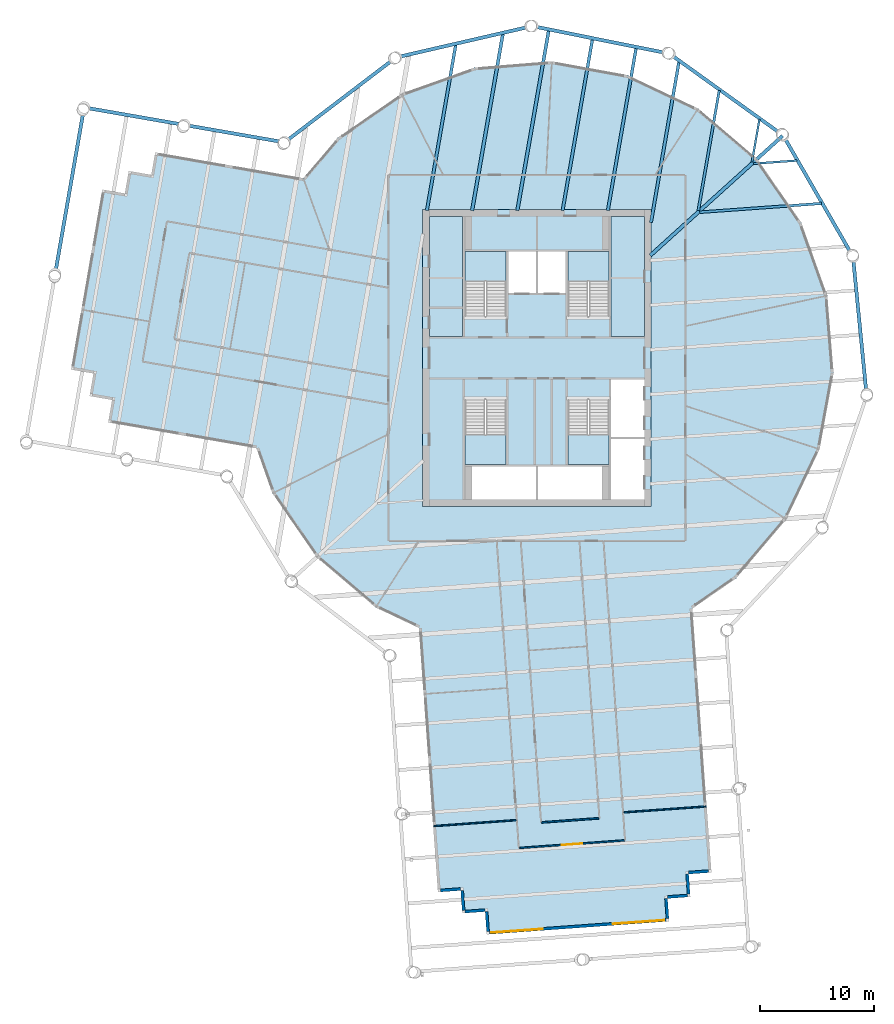
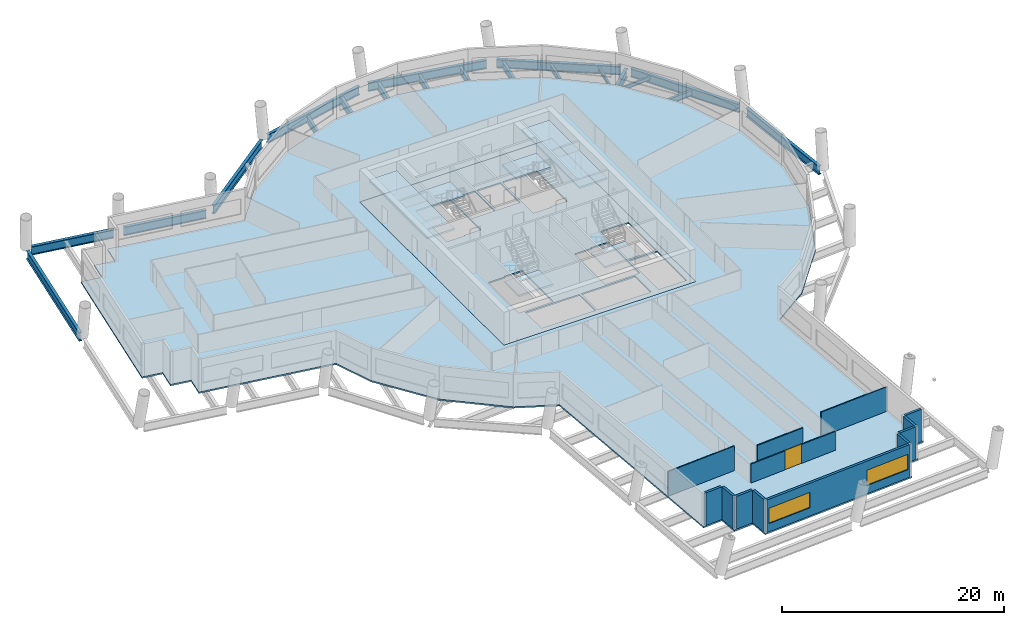
# One storey, part 2 of 11: 20 beams, 13 walls, 8 slabs, 2 windows, 1 door, 3 openings, 4 elements without a shape of their own.
"""IFC4 building model written with IfcOpenShell, lengths in metres."""

from ifc_helpers import new_model, si_unit, direction, frame, frame_2d, origin, origin_2d, place, context, subcontext, project, spatial, polyline, rectangle, i_section, outline, extrude, material, layer, layer_set, material_profile, profile_set, type_object, element, fill, aggregate, save


model = new_model("IFC4")

# Units and contexts
model_context = context("Model", 3, precision=1e-05, world=origin(), true_north=direction((0.0, 1.0)))
body_context = subcontext(model_context, "Body", "Model", "MODEL_VIEW")
ifc_project = project(units=[si_unit("LENGTHUNIT", "METRE"), si_unit("AREAUNIT", "SQUARE_METRE"), si_unit("VOLUMEUNIT", "CUBIC_METRE"), si_unit("PLANEANGLEUNIT", "RADIAN"), si_unit("MASSUNIT", "GRAM", prefix="KILO")], contexts=[model_context])

# Site, building, storey
site_placement = place(None, origin())
site = spatial("IfcSite", under=ifc_project, at=site_placement, CompositionType="ELEMENT")
building_placement = place(site_placement, origin())
building = spatial("IfcBuilding", under=site, at=building_placement, Name="Tarsis Ring Headquarters", CompositionType="ELEMENT")
storey_placement = place(building_placement, frame((0.0, 0.0, 243.300048828125)))
storey = spatial("IfcBuildingStorey", under=building, at=storey_placement, Name="L57", CompositionType="ELEMENT", Elevation=243.300048828125)

# Beams
ifc_material_1 = material(Name="Structural steel S355", Category="steel")
ifc_material_profile_1 = material_profile(ifc_material_1, i_section(OverallWidth=0.177734375, OverallDepth=0.406494140625, WebThickness=0.0078125, FlangeThickness=0.0126953125, at=origin_2d()), Name="W16x40")
ifc_profile_set_1 = profile_set([ifc_material_profile_1], Name="Structural steel S355")
beam_type_1 = type_object("IfcBeamType", Name="FB Floor beam W16x40", PredefinedType="JOIST", material=ifc_profile_set_1)
for number, where, z_axis, x_axis, name in (
    (1, (18.946044921875, 17.005126953125, -0.36328125), (0.997414871604, 0.071858012106, 0.0), (-0.071858012106, 0.997414871604, 0.0), "Floor beam FB1"),
    (2, (19.4736328125, 20.892333984375, -0.36328125), (-0.171563198487, -0.985173116221, 0.0), (0.985173116221, -0.171563198487, 0.0), "Floor beam FB1"),
):
    element("IfcBeam", number, at=place(storey_placement, frame(where, z_axis=z_axis, x_axis=x_axis)), inside=storey, type_object=beam_type_1, Name=name, PredefinedType="JOIST", context=body_context, shape_type="SweptSolid", body=[
        extrude(i_section(OverallWidth=0.177734375, OverallDepth=0.406494140625, WebThickness=0.0078125, FlangeThickness=0.0126953125, at=origin_2d()), origin(), (0.0, 0.0, 1.0), 3.80517578125),
    ])
ifc_material_profile_2 = material_profile(ifc_material_1, i_section(OverallWidth=0.228271484375, OverallDepth=0.607177734375, WebThickness=0.01123046875, FlangeThickness=0.017333984375, at=origin_2d()), Name="W24x76")
ifc_profile_set_2 = profile_set([ifc_material_profile_2], Name="Structural steel S355")
beam_type_2 = type_object("IfcBeamType", Name="FB Floor beam W24x76", PredefinedType="JOIST", material=ifc_profile_set_2)
beam_1_placement = place(storey_placement, frame((14.247314453125, 12.756591796875, -0.463623046875), z_axis=(0.997416187829, 0.071839740087, 0.0), x_axis=(-0.071839740087, 0.997416187829, 0.0)))
element("IfcBeam", 3, at=beam_1_placement, inside=storey, type_object=beam_type_2, Name="Floor beam FB4", PredefinedType="JOIST", context=body_context, shape_type="SweptSolid", body=[
    extrude(i_section(OverallWidth=0.228271484375, OverallDepth=0.607177734375, WebThickness=0.01123046875, FlangeThickness=0.017333984375, at=origin_2d()), origin(), (0.0, 0.0, 1.0), 10.6845703125),
])
beam_2_placement = place(storey_placement, frame((15.955322265625, 23.42138671875, -0.463623046875), z_axis=(-0.171575490657, -0.985170975519, 0.0), x_axis=(0.985170975519, -0.171575490657, 0.0)))
element("IfcBeam", 4, at=beam_2_placement, inside=storey, type_object=beam_type_2, Name="Floor beam FB4", PredefinedType="JOIST", context=body_context, shape_type="SweptSolid", body=[
    extrude(i_section(OverallWidth=0.228271484375, OverallDepth=0.607177734375, WebThickness=0.01123046875, FlangeThickness=0.017333984375, at=origin_2d()), origin(), (0.0, 0.0, 1.0), 10.684814453125),
])
ifc_material_profile_3 = material_profile(ifc_material_1, i_section(OverallWidth=0.2666015625, OverallDepth=0.7568359375, WebThickness=0.013916015625, FlangeThickness=0.019287109375, at=origin_2d()), Name="W30x108")
ifc_profile_set_3 = profile_set([ifc_material_profile_3], Name="Structural steel S355")
beam_type_3 = type_object("IfcBeamType", Name="FB Floor beam W30x108", PredefinedType="JOIST", material=ifc_profile_set_3)
beam_3_placement = place(storey_placement, frame((12.437255859375, 25.9501953125, -0.53857421875), z_axis=(-0.171591123152, -0.985168252866, 0.0), x_axis=(0.985168252866, -0.171591123152, 0.0)))
element("IfcBeam", 5, at=beam_3_placement, inside=storey, type_object=beam_type_3, Name="Floor beam FB6", PredefinedType="JOIST", context=body_context, shape_type="SweptSolid", body=[
    extrude(i_section(OverallWidth=0.2666015625, OverallDepth=0.7568359375, WebThickness=0.013916015625, FlangeThickness=0.019287109375, at=origin_2d()), origin(), (0.0, 0.0, 1.0), 14.303466796875),
])
beam_4_placement = place(storey_placement, frame((8.689208984375, 27.160888671875, -0.53857421875), z_axis=(-0.171574651158, -0.985171121725, 0.0), x_axis=(0.985171121725, -0.171574651158, 0.0)))
element("IfcBeam", 6, at=beam_4_placement, inside=storey, type_object=beam_type_3, Name="Floor beam FB6", PredefinedType="JOIST", context=body_context, shape_type="SweptSolid", body=[
    extrude(i_section(OverallWidth=0.2666015625, OverallDepth=0.7568359375, WebThickness=0.013916015625, FlangeThickness=0.019287109375, at=origin_2d()), origin(), (0.0, 0.0, 1.0), 14.47412109375),
])
beam_5_placement = place(storey_placement, frame((4.864501953125, 27.9296875, -0.53857421875), z_axis=(-0.17158364423, -0.985169555474, 0.0), x_axis=(0.985169555474, -0.17158364423, 0.0)))
element("IfcBeam", 7, at=beam_5_placement, inside=storey, type_object=beam_type_3, Name="Floor beam FB6", PredefinedType="JOIST", context=body_context, shape_type="SweptSolid", body=[
    extrude(i_section(OverallWidth=0.2666015625, OverallDepth=0.7568359375, WebThickness=0.013916015625, FlangeThickness=0.019287109375, at=origin_2d()), origin(), (0.0, 0.0, 1.0), 15.254638671875),
])
beam_6_placement = place(storey_placement, frame((-7.096923828125, 27.43994140625, -0.53857421875), z_axis=(-0.17158971719, -0.985168497748, 0.0), x_axis=(0.985168497748, -0.17158971719, 0.0)))
element("IfcBeam", 8, at=beam_6_placement, inside=storey, type_object=beam_type_3, Name="Floor beam FB6", PredefinedType="JOIST", context=body_context, shape_type="SweptSolid", body=[
    extrude(i_section(OverallWidth=0.2666015625, OverallDepth=0.7568359375, WebThickness=0.013916015625, FlangeThickness=0.019287109375, at=origin_2d()), origin(), (0.0, 0.0, 1.0), 14.757568359375),
])
ifc_material_profile_4 = material_profile(ifc_material_1, i_section(OverallWidth=0.2919921875, OverallDepth=0.835693359375, WebThickness=0.013916015625, FlangeThickness=0.018798828125, at=origin_2d()), Name="W33x118")
ifc_profile_set_4 = profile_set([ifc_material_profile_4], Name="Structural steel S355")
beam_type_4 = type_object("IfcBeamType", Name="FB Floor beam W33x118", PredefinedType="JOIST", material=ifc_profile_set_4)
beam_7_placement = place(storey_placement, frame((1.03955078125, 28.698486328125, -0.577880859375), z_axis=(-0.171576984639, -0.985170715329, 0.0), x_axis=(0.985170715329, -0.171576984639, 0.0)))
element("IfcBeam", 9, at=beam_7_placement, inside=storey, type_object=beam_type_4, Name="Floor beam FB7", PredefinedType="JOIST", context=body_context, shape_type="SweptSolid", body=[
    extrude(i_section(OverallWidth=0.2919921875, OverallDepth=0.835693359375, WebThickness=0.013916015625, FlangeThickness=0.018798828125, at=origin_2d()), origin(), (0.0, 0.0, 1.0), 16.034912109375),
])
beam_8_placement = place(storey_placement, frame((-2.97265625, 28.39013671875, -0.577880859375), z_axis=(-0.171591508045, -0.985168185828, 0.0), x_axis=(0.985168185828, -0.171591508045, 0.0)))
element("IfcBeam", 10, at=beam_8_placement, inside=storey, type_object=beam_type_4, Name="Floor beam FB7", PredefinedType="JOIST", context=body_context, shape_type="SweptSolid", body=[
    extrude(i_section(OverallWidth=0.2919921875, OverallDepth=0.835693359375, WebThickness=0.013916015625, FlangeThickness=0.018798828125, at=origin_2d()), origin(), (0.0, 0.0, 1.0), 15.721923828125),
])
ifc_material_profile_5 = material_profile(ifc_material_1, i_section(OverallWidth=0.309814453125, OverallDepth=0.949951171875, WebThickness=0.0244140625, FlangeThickness=0.0439453125, at=origin_2d()), Name="W36x256")
ifc_profile_set_5 = profile_set([ifc_material_profile_5], Name="Structural steel S355")
beam_type_5 = type_object("IfcBeamType", Name="FB Floor beam W36x256 spine", PredefinedType="BEAM", material=ifc_profile_set_5)
beam_9_placement = place(storey_placement, frame((21.503173828125, 19.443115234375, -0.635009765625), z_axis=(-0.741743629511, -0.670683523042, 0.0), x_axis=(0.670683523042, -0.741743629511, 0.0)))
element("IfcBeam", 11, at=beam_9_placement, inside=storey, type_object=beam_type_5, Name="Floor beam SB11", PredefinedType="BEAM", context=body_context, shape_type="SweptSolid", body=[
    extrude(i_section(OverallWidth=0.309814453125, OverallDepth=0.949951171875, WebThickness=0.0244140625, FlangeThickness=0.0439453125, at=origin_2d()), origin(), (0.0, 0.0, 1.0), 15.6083984375),
])
beam_type_6 = type_object("IfcBeamType", Name="XG Ring girder W36x256", PredefinedType="BEAM", material=ifc_profile_set_5)
for number, where, z_axis, x_axis, name in (
    (12, (28.81103515625, -2.84326171875, -0.47509765625), (-0.097689870324, 0.995216905622, 0.0), (-0.995216905622, -0.097689870324, 0.0), "Ring girder XG2"),
    (13, (27.421875, 9.28515625, -0.47509765625), (-0.4992380838, 0.866464849652, 0.0), (-0.866464849652, -0.4992380838, 0.0), "Ring girder XG2"),
):
    element("IfcBeam", number, at=place(storey_placement, frame(where, z_axis=z_axis, x_axis=x_axis)), inside=storey, type_object=beam_type_6, Name=name, PredefinedType="BEAM", context=body_context, shape_type="SweptSolid", body=[
        extrude(i_section(OverallWidth=0.309814453125, OverallDepth=0.949951171875, WebThickness=0.0244140625, FlangeThickness=0.0439453125, at=origin_2d()), origin(), (0.0, 0.0, 1.0), 11.28857421875),
    ])
for number, where, z_axis, x_axis, name in (
    (14, (21.15673828125, 19.7626953125, -0.47509765625), (-0.811996793956, 0.583661894084, 0.0), (-0.583661894084, -0.811996793956, 0.0), "Ring girder XG2"),
    (15, (11.1298828125, 26.726318359375, -0.47509765625), (-0.980390565928, 0.19706429976, 0.0), (-0.19706429976, -0.980390565928, 0.0), "Ring girder XG2"),
    (16, (-0.8759765625, 28.937744140625, -0.47509765625), (-0.974466956121, -0.22453095873, 0.0), (0.22453095873, -0.974466956121, 0.0), "Ring girder XG2"),
    (17, (-12.725830078125, 26.004150390625, -0.47509765625), (-0.795280773487, -0.60624128144, 0.0), (0.60624128144, -0.795280773487, 0.0), "Ring girder XG2"),
):
    element("IfcBeam", number, at=place(storey_placement, frame(where, z_axis=z_axis, x_axis=x_axis)), inside=storey, type_object=beam_type_6, Name=name, PredefinedType="BEAM", context=body_context, shape_type="SweptSolid", body=[
        extrude(i_section(OverallWidth=0.309814453125, OverallDepth=0.949951171875, WebThickness=0.0244140625, FlangeThickness=0.0439453125, at=origin_2d()), origin(), (0.0, 0.0, 1.0), 11.288818359375),
    ])
for number, where, z_axis, x_axis, name in (
    (18, (-22.558349609375, 18.95166015625, -0.47509765625), (-0.985167952874, 0.171592845511, 0.0), (-0.171592845511, -0.985167952874, 0.0), "Ring girder XG2"),
    (19, (-31.32861328125, 20.479248046875, -0.47509765625), (-0.985167952874, 0.171592845511, 0.0), (-0.171592845511, -0.985167952874, 0.0), "Ring girder XG2"),
):
    element("IfcBeam", number, at=place(storey_placement, frame(where, z_axis=z_axis, x_axis=x_axis)), inside=storey, type_object=beam_type_6, Name=name, PredefinedType="BEAM", context=body_context, shape_type="SweptSolid", body=[
        extrude(i_section(OverallWidth=0.309814453125, OverallDepth=0.949951171875, WebThickness=0.0244140625, FlangeThickness=0.0439453125, at=origin_2d()), origin(), (0.0, 0.0, 1.0), 7.94189453125),
    ])
beam_10_placement = place(storey_placement, frame((-39.708251953125, 21.451416015625, -0.47509765625), z_axis=(-0.171571953712, -0.9851715915, 0.0), x_axis=(0.9851715915, -0.171571953712, 0.0)))
element("IfcBeam", 20, at=beam_10_placement, inside=storey, type_object=beam_type_6, Name="Ring girder XG2", PredefinedType="BEAM", context=body_context, shape_type="SweptSolid", body=[
    extrude(i_section(OverallWidth=0.309814453125, OverallDepth=0.949951171875, WebThickness=0.0244140625, FlangeThickness=0.0439453125, at=origin_2d()), origin(), (0.0, 0.0, 1.0), 13.83984375),
])

# Slab
ifc_material_2 = material(Name="Concrete C40/50", Category="concrete")
ifc_layer_1 = layer(ifc_material_2, 0.159912109375)
ifc_layer_set_1 = layer_set([ifc_layer_1], Name="Core floor slab 160 C40/50")
slab_type_1 = type_object("IfcSlabType", Name="Core floor slab 160 C40/50", PredefinedType="FLOOR", material=ifc_layer_set_1)
slab_1_placement = place(storey_placement, frame((0.0, 0.0, -0.16015625)))
element("IfcSlab", 21, at=slab_1_placement, inside=storey, type_object=slab_type_1, Name="L57 core floor slab", PredefinedType="FLOOR", context=body_context, shape_type="SweptSolid", body=[
    extrude(outline(polyline([(-10.0, -13.0), (10.0, -13.0), (10.0, 13.0), (-10.0, 13.0), (-10.0, -13.0)]), holes=[polyline([(-2.5, 5.699951171875), (-0.10009765625, 5.699951171875), (-0.10009765625, 9.300048828125), (-2.5, 9.300048828125), (-2.5, 5.699951171875)]), polyline([(0.10009765625, 5.699951171875), (2.5, 5.699951171875), (2.5, 9.300048828125), (0.10009765625, 9.300048828125), (0.10009765625, 5.699951171875)]), polyline([(6.5, -12.39990234375), (9.39990234375, -12.39990234375), (9.39990234375, -7.10009765625), (6.5, -7.10009765625), (6.5, -12.39990234375)]), polyline([(6.5, -6.89990234375), (9.39990234375, -6.89990234375), (9.39990234375, -1.89990234375), (6.5, -1.89990234375), (6.5, -6.89990234375)]), polyline([(-5.699951171875, -12.39990234375), (-0.10009765625, -12.39990234375), (-0.10009765625, -9.5), (-5.699951171875, -9.5), (-5.699951171875, -12.39990234375)]), polyline([(0.10009765625, -12.39990234375), (5.699951171875, -12.39990234375), (5.699951171875, -9.5), (0.10009765625, -9.5), (0.10009765625, -12.39990234375)]), polyline([(-2.699951171875, 3.760009765625), (-2.699951171875, 9.300048828125), (-6.300048828125, 9.300048828125), (-6.300048828125, 3.659912109375), (-4.4599609375, 3.659912109375), (-4.4599609375, 3.760009765625), (-2.699951171875, 3.760009765625)]), polyline([(6.300048828125, 3.760009765625), (6.300048828125, 9.300048828125), (2.699951171875, 9.300048828125), (2.699951171875, 3.659912109375), (4.5400390625, 3.659912109375), (4.5400390625, 3.760009765625), (6.300048828125, 3.760009765625)]), polyline([(-6.300048828125, -3.760009765625), (-6.300048828125, -9.300048828125), (-2.699951171875, -9.300048828125), (-2.699951171875, -3.659912109375), (-4.5400390625, -3.659912109375), (-4.5400390625, -3.760009765625), (-6.300048828125, -3.760009765625)]), polyline([(2.699951171875, -3.760009765625), (2.699951171875, -9.300048828125), (6.300048828125, -9.300048828125), (6.300048828125, -3.659912109375), (4.4599609375, -3.659912109375), (4.4599609375, -3.760009765625), (2.699951171875, -3.760009765625)])]), origin(), (0.0, 0.0, 1.0), 0.16015625),
])

# Stair, slab
ifc_material_3 = material(Name="Core stair 1760")
stair_type = type_object("IfcStairType", Name="Core stair 1760", PredefinedType="HALF_TURN_STAIR", material=ifc_material_3)
stair_1_placement = place(storey_placement, origin())
stair_1 = element("IfcStair", 22, at=stair_1_placement, inside=storey, type_object=stair_type, Name="L57 Firefighting stair", PredefinedType="HALF_TURN_STAIR")
ifc_layer_2 = layer(ifc_material_2, 0.199951171875)
ifc_layer_set_2 = layer_set([ifc_layer_2], Name="Core stair landing 200")
slab_type_2 = type_object("IfcSlabType", Name="Core stair landing 200", PredefinedType="LANDING", material=ifc_layer_set_2)
slab_2_placement = place(storey_placement, frame((0.0, 0.0, 1.75)))
slab_2 = element("IfcSlab", 23, at=slab_2_placement, type_object=slab_type_2, Name="Stair ST1 landing 1", PredefinedType="LANDING", context=body_context, shape_type="SweptSolid", body=[
    extrude(outline(polyline([(-2.699951171875, 6.739990234375), (-2.699951171875, 9.300048828125), (-6.300048828125, 9.300048828125), (-6.300048828125, 6.739990234375), (-2.699951171875, 6.739990234375)])), origin(), (0.0, 0.0, 1.0), 0.199951171875),
])
aggregate(stair_1, [slab_2])

stair_2_placement = place(storey_placement, origin())
stair_2 = element("IfcStair", 24, at=stair_2_placement, inside=storey, type_object=stair_type, Name="L57 Exit stair B", PredefinedType="HALF_TURN_STAIR")
slab_3_placement = place(storey_placement, frame((0.0, 0.0, 1.75)))
slab_3 = element("IfcSlab", 25, at=slab_3_placement, type_object=slab_type_2, Name="Stair ST2 landing 1", PredefinedType="LANDING", context=body_context, shape_type="SweptSolid", body=[
    extrude(outline(polyline([(6.300048828125, 6.739990234375), (6.300048828125, 9.300048828125), (2.699951171875, 9.300048828125), (2.699951171875, 6.739990234375), (6.300048828125, 6.739990234375)])), origin(), (0.0, 0.0, 1.0), 0.199951171875),
])
aggregate(stair_2, [slab_3])

stair_3_placement = place(storey_placement, origin())
stair_3 = element("IfcStair", 26, at=stair_3_placement, inside=storey, type_object=stair_type, Name="L57 Exit stair C", PredefinedType="HALF_TURN_STAIR")
slab_4_placement = place(storey_placement, frame((0.0, 0.0, 1.75)))
slab_4 = element("IfcSlab", 27, at=slab_4_placement, type_object=slab_type_2, Name="Stair ST3 landing 1", PredefinedType="LANDING", context=body_context, shape_type="SweptSolid", body=[
    extrude(outline(polyline([(-6.300048828125, -6.739990234375), (-6.300048828125, -9.300048828125), (-2.699951171875, -9.300048828125), (-2.699951171875, -6.739990234375), (-6.300048828125, -6.739990234375)])), origin(), (0.0, 0.0, 1.0), 0.199951171875),
])
aggregate(stair_3, [slab_4])

stair_4_placement = place(storey_placement, origin())
stair_4 = element("IfcStair", 28, at=stair_4_placement, inside=storey, type_object=stair_type, Name="L57 Exit stair D", PredefinedType="HALF_TURN_STAIR")
slab_5_placement = place(storey_placement, frame((0.0, 0.0, 1.75)))
slab_5 = element("IfcSlab", 29, at=slab_5_placement, type_object=slab_type_2, Name="Stair ST4 landing 1", PredefinedType="LANDING", context=body_context, shape_type="SweptSolid", body=[
    extrude(outline(polyline([(2.699951171875, -6.739990234375), (2.699951171875, -9.300048828125), (6.300048828125, -9.300048828125), (6.300048828125, -6.739990234375), (2.699951171875, -6.739990234375)])), origin(), (0.0, 0.0, 1.0), 0.199951171875),
])
aggregate(stair_4, [slab_5])

# Slabs
ifc_material_4 = material(Name="Concrete C35/45", Category="concrete")
ifc_layer_3 = layer(ifc_material_4, 0.159912109375)
ifc_layer_set_3 = layer_set([ifc_layer_3], Name="FS Composite floor slab 160")
slab_type_3 = type_object("IfcSlabType", Name="FS Composite floor slab 160", PredefinedType="FLOOR", material=ifc_layer_set_3)
slab_6_placement = place(storey_placement, frame((0.0, 0.0, -0.16015625)))
element("IfcSlab", 30, at=slab_6_placement, inside=storey, type_object=slab_type_3, Name="Floor slab L57", PredefinedType="FLOOR", context=body_context, shape_type="SweptSolid", body=[
    extrude(outline(polyline([(-24.548583984375, -7.905029296875), (-23.141357421875, -11.852294921875), (-19.285400390625, -17.437744140625), (-14.114990234375, -21.8349609375), (-10.328857421875, -23.631103515625), (-8.6640625, -46.7431640625), (-6.669189453125, -46.599609375), (-6.525634765625, -48.594482421875), (-4.53076171875, -48.45068359375), (-4.386962890625, -50.445556640625), (11.571533203125, -49.296142578125), (11.427978515625, -47.30126953125), (13.4228515625, -47.157470703125), (13.279052734375, -45.16259765625), (15.27392578125, -45.01904296875), (13.610595703125, -21.927490234375), (17.437744140625, -19.285400390625), (21.8349609375, -14.114990234375), (24.744140625, -7.982666015625), (25.967041015625, -1.306396484375), (25.42041015625, 5.458984375), (23.141357421875, 11.852294921875), (19.285400390625, 17.437744140625), (14.114990234375, 21.8349609375), (7.982666015625, 24.744140625), (1.306396484375, 25.967041015625), (-5.458984375, 25.42041015625), (-11.852294921875, 23.141357421875), (-17.437744140625, 19.285400390625), (-20.450927734375, 15.742431640625), (-33.406982421875, 17.9990234375), (-33.750244140625, 16.02880859375), (-35.720458984375, 16.371826171875), (-36.063720703125, 14.401611328125), (-38.0341796875, 14.744873046875), (-40.779541015625, -1.01806640625), (-38.80908203125, -1.361083984375), (-39.15234375, -3.33154296875), (-37.181884765625, -3.674560546875), (-37.525146484375, -5.64501953125), (-24.548583984375, -7.905029296875)]), holes=[polyline([(-10.0, -13.0), (-10.0, 13.0), (10.0, 13.0), (10.0, -13.0), (-10.0, -13.0)])]), origin(), (0.0, 0.0, 1.0), 0.16015625),
])
ifc_layer_4 = layer(ifc_material_2, 0.199951171875)
ifc_layer_set_4 = layer_set([ifc_layer_4], Name="Lift pit slab 200 C40/50")
slab_type_4 = type_object("IfcSlabType", Name="Lift pit slab 200 C40/50", PredefinedType="FLOOR", material=ifc_layer_set_4)
slab_7_placement = place(storey_placement, frame((0.0, 0.0, 2.39990234375)))
element("IfcSlab", 31, at=slab_7_placement, inside=storey, type_object=slab_type_4, Name="L57 lift pit floor 1", PredefinedType="FLOOR", context=body_context, shape_type="SweptSolid", body=[
    extrude(outline(polyline([(-9.39990234375, 1.89990234375), (-6.5, 1.89990234375), (-6.5, 12.39990234375), (-9.39990234375, 12.39990234375), (-9.39990234375, 1.89990234375)])), origin(), (0.0, 0.0, 1.0), 0.199951171875),
])
slab_8_placement = place(storey_placement, frame((0.0, 0.0, 2.39990234375)))
element("IfcSlab", 32, at=slab_8_placement, inside=storey, type_object=slab_type_4, Name="L57 lift pit floor 2", PredefinedType="FLOOR", context=body_context, shape_type="SweptSolid", body=[
    extrude(outline(polyline([(6.5, 1.89990234375), (9.39990234375, 1.89990234375), (9.39990234375, 12.39990234375), (6.5, 12.39990234375), (6.5, 1.89990234375)])), origin(), (0.0, 0.0, 1.0), 0.199951171875),
])

# Walls
ifc_material_5 = material(Name="Gypsum board on steel studs", Category="steel")
ifc_layer_5 = layer(ifc_material_5, 0.10009765625)
ifc_layer_set_5 = layer_set([ifc_layer_5], Name="FL partition 100 unrated")
wall_type_1 = type_object("IfcWallType", Name="FL partition 100 unrated", PredefinedType="PARTITIONING", material=ifc_layer_set_5)
for number, where, z_axis, x_axis, name in (
    (33, (7.606689453125, -39.766357421875, 0.0), (0.0, 0.0, 1.0), (0.997415088292, 0.071855004327, 0.0), "Partition PW3"),
    (34, (-9.0302734375, -40.964599609375, 0.0), (0.0, 0.0, 1.0), (0.997415088292, 0.071855004327, 0.0), "Partition PW3"),
):
    element("IfcWall", number, at=place(storey_placement, frame(where, z_axis=z_axis, x_axis=x_axis)), inside=storey, type_object=wall_type_1, Name=name, PredefinedType="PARTITIONING", context=body_context, shape_type="SweptSolid", body=[
        extrude(rectangle(XDim=7.219970703125, YDim=0.10009765625, at=frame_2d((3.60986328125, 0.0))), origin(), (0.0, 0.0, 1.0), 2.699951171875),
    ])

# Wall, opening, door
ifc_layer_6 = layer(ifc_material_5, 0.125)
ifc_layer_set_6 = layer_set([ifc_layer_6], Name="FL partition 125 EI 60 H2080")
wall_type_2 = type_object("IfcWallType", Name="FL partition 125 EI 60 H2080", PredefinedType="PARTITIONING", material=ifc_layer_set_6)
wall_1_placement = place(storey_placement, frame((-1.5224609375, -42.89013671875, 0.0), z_axis=(0.0, 0.0, 1.0), x_axis=(0.997416498279, 0.071835429704, 0.0)))
wall_1 = element("IfcWall", 35, at=wall_1_placement, inside=storey, type_object=wall_type_2, Name="Partition PW1H208", PredefinedType="PARTITIONING", context=body_context, shape_type="SweptSolid", body=[
    extrude(rectangle(XDim=9.199951171875, YDim=0.125, at=frame_2d((4.60009765625, 0.0))), origin(), (0.0, 0.0, 1.0), 2.079833984375),
])
opening_1_placement = place(wall_1_placement, frame((3.699951171875, 0.0, 0.0)))
opening_1 = element("IfcOpeningElement", 36, at=opening_1_placement, cuts=wall_1, Name="Opening D57.10", PredefinedType="OPENING", context=body_context, shape_type="SweptSolid", body=[
    extrude(rectangle(XDim=1.800048828125, YDim=2.10009765625, at=frame_2d((0.89990234375, 1.050048828125))), frame((0.0, 0.072509765625, 0.0), z_axis=(0.0, -1.0, 0.0), x_axis=(1.0, 0.0, 0.0)), (0.0, 0.0, 1.0), 0.14501953125),
])
ifc_material_6 = material(Name="Fire-rated timber door leaf in steel frame", Category="steel")
door_type = type_object("IfcDoorType", Name="FL door FD60-1800", OperationType="DOUBLE_DOOR_SINGLE_SWING", PredefinedType="DOOR", material=ifc_material_6)
door_placement = place(opening_1_placement, origin())
door = element("IfcDoor", 37, at=door_placement, inside=storey, type_object=door_type, Name="Door D57.10", OperationType="DOUBLE_DOOR_SINGLE_SWING", OverallHeight=2.10009765625, OverallWidth=1.800048828125, PredefinedType="DOOR", context=body_context, shape_type="SweptSolid", body=[
    extrude(rectangle(XDim=1.800048828125, YDim=2.10009765625, at=frame_2d((0.89990234375, 1.050048828125))), frame((0.0, 0.02490234375, 0.0), z_axis=(0.0, -1.0, 0.0), x_axis=(1.0, 0.0, 0.0)), (0.0, 0.0, 1.0), 0.050048828125),
])
fill(opening_1, door)

# Walls
wall_2_placement = place(storey_placement, frame((0.421142578125, -40.644775390625, 0.0), z_axis=(0.0, 0.0, 1.0), x_axis=(0.997413639632, 0.071875110273, 0.0)))
element("IfcWall", 38, at=wall_2_placement, inside=storey, type_object=wall_type_2, Name="Partition PW1H208", PredefinedType="PARTITIONING", context=body_context, shape_type="SweptSolid", body=[
    extrude(rectangle(XDim=5.0, YDim=0.125, at=frame_2d((2.5, 0.0))), origin(), (0.0, 0.0, 1.0), 2.079833984375),
])
ifc_material_7 = material(Name="Terracotta clad insulated panel wall", Category="masonry")
ifc_layer_7 = layer(ifc_material_7, 0.25)
ifc_layer_set_7 = layer_set([ifc_layer_7], Name="Facade wall terracotta panel 250")
wall_type_3 = type_object("IfcWallType", Name="Facade wall terracotta panel 250", PredefinedType="STANDARD", material=ifc_layer_set_7)
for number, where, z_axis, x_axis, name in (
    (39, (-8.423828125, -46.6005859375, 0.0), (0.0, 0.0, 1.0), (0.997416035549, 0.071841854309, 0.0), "External wall L57-07"),
    (40, (-6.544677734375, -46.590576171875, 0.0), (0.0, 0.0, 1.0), (0.071841854309, -0.997416035549, 0.0), "External wall L57-08"),
):
    element("IfcWall", number, at=place(storey_placement, frame(where, z_axis=z_axis, x_axis=x_axis)), inside=storey, type_object=wall_type_3, Name=name, PredefinedType="STANDARD", context=body_context, shape_type="SweptSolid", body=[
        extrude(rectangle(XDim=1.750244140625, YDim=0.25, at=frame_2d((0.875, 0.0))), origin(), (0.0, 0.0, 1.0), 3.599853515625),
    ])
wall_3_placement = place(storey_placement, frame((-6.28515625, -48.45166015625, 0.0), z_axis=(0.0, 0.0, 1.0), x_axis=(0.99741531541, 0.071851851649, 0.0)))
element("IfcWall", 41, at=wall_3_placement, inside=storey, type_object=wall_type_3, Name="External wall L57-09", PredefinedType="STANDARD", context=body_context, shape_type="SweptSolid", body=[
    extrude(rectangle(XDim=1.75, YDim=0.25, at=frame_2d((0.875, 0.0))), origin(), (0.0, 0.0, 1.0), 3.599853515625),
])
wall_4_placement = place(storey_placement, frame((-4.406005859375, -48.441650390625, 0.0), z_axis=(0.0, 0.0, 1.0), x_axis=(0.071841854309, -0.997416035549, 0.0)))
element("IfcWall", 42, at=wall_4_placement, inside=storey, type_object=wall_type_3, Name="External wall L57-10", PredefinedType="STANDARD", context=body_context, shape_type="SweptSolid", body=[
    extrude(rectangle(XDim=1.750244140625, YDim=0.25, at=frame_2d((0.875, 0.0))), origin(), (0.0, 0.0, 1.0), 3.599853515625),
])

# Wall, openings, windows
wall_5_placement = place(storey_placement, frame((-4.146728515625, -50.302978515625, 0.0), z_axis=(0.0, 0.0, 1.0), x_axis=(0.997415018869, 0.071855967976, 0.0)))
wall_5 = element("IfcWall", 43, at=wall_5_placement, inside=storey, type_object=wall_type_3, Name="External wall L57-11", PredefinedType="STANDARD", context=body_context, shape_type="SweptSolid", body=[
    extrude(rectangle(XDim=15.5, YDim=0.25, at=frame_2d((7.75, 0.0))), origin(), (0.0, 0.0, 1.0), 3.599853515625),
])
opening_2_placement = place(wall_5_placement, frame((0.166748046875, 0.0, 0.89990234375)))
opening_2 = element("IfcOpeningElement", 44, at=opening_2_placement, cuts=wall_5, Name="Opening WN04", PredefinedType="OPENING", context=body_context, shape_type="SweptSolid", body=[
    extrude(rectangle(XDim=4.5, YDim=1.699951171875, at=frame_2d((2.25, 0.85009765625))), frame((0.0, 0.135009765625, 0.0), z_axis=(0.0, -1.0, 0.0), x_axis=(1.0, 0.0, 0.0)), (0.0, 0.0, 1.0), 0.27001953125),
])
opening_3_placement = place(wall_5_placement, frame((10.833251953125, 0.0, 0.89990234375)))
opening_3 = element("IfcOpeningElement", 45, at=opening_3_placement, cuts=wall_5, Name="Opening WN04", PredefinedType="OPENING", context=body_context, shape_type="SweptSolid", body=[
    extrude(rectangle(XDim=4.5, YDim=1.699951171875, at=frame_2d((2.25, 0.85009765625))), frame((0.0, 0.135009765625, 0.0), z_axis=(0.0, -1.0, 0.0), x_axis=(1.0, 0.0, 0.0)), (0.0, 0.0, 1.0), 0.27001953125),
])
ifc_material_8 = material(Name="Aluminium framed double glazing", Category="aluminium")
window_type = type_object("IfcWindowType", Name="Facade window 4500 x 1700", PartitioningType="SINGLE_PANEL", PredefinedType="WINDOW", material=ifc_material_8)
window_1_placement = place(opening_2_placement, origin())
window_1 = element("IfcWindow", 46, at=window_1_placement, inside=storey, type_object=window_type, Name="Window L57-11.1", OverallHeight=1.699951171875, OverallWidth=4.5, PartitioningType="SINGLE_PANEL", PredefinedType="WINDOW", context=body_context, shape_type="SweptSolid", body=[
    extrude(rectangle(XDim=4.5, YDim=1.699951171875, at=frame_2d((2.25, 0.85009765625))), frame((0.0, 0.030029296875, 0.0), z_axis=(0.0, -1.0, 0.0), x_axis=(1.0, 0.0, 0.0)), (0.0, 0.0, 1.0), 0.06005859375),
])
fill(opening_2, window_1)
window_2_placement = place(opening_3_placement, origin())
window_2 = element("IfcWindow", 47, at=window_2_placement, inside=storey, type_object=window_type, Name="Window L57-11.3", OverallHeight=1.699951171875, OverallWidth=4.5, PartitioningType="SINGLE_PANEL", PredefinedType="WINDOW", context=body_context, shape_type="SweptSolid", body=[
    extrude(rectangle(XDim=4.5, YDim=1.699951171875, at=frame_2d((2.25, 0.85009765625))), frame((0.0, 0.030029296875, 0.0), z_axis=(0.0, -1.0, 0.0), x_axis=(1.0, 0.0, 0.0)), (0.0, 0.0, 1.0), 0.06005859375),
])
fill(opening_3, window_2)

# Walls
wall_6_placement = place(storey_placement, frame((11.428955078125, -49.0556640625, 0.0), z_axis=(0.0, 0.0, 1.0), x_axis=(-0.071841854309, 0.997416035549, 0.0)))
element("IfcWall", 48, at=wall_6_placement, inside=storey, type_object=wall_type_3, Name="External wall L57-12", PredefinedType="STANDARD", context=body_context, shape_type="SweptSolid", body=[
    extrude(rectangle(XDim=1.750244140625, YDim=0.25, at=frame_2d((0.875, 0.0))), origin(), (0.0, 0.0, 1.0), 3.599853515625),
])
wall_7_placement = place(storey_placement, frame((11.4189453125, -47.176513671875, 0.0), z_axis=(0.0, 0.0, 1.0), x_axis=(0.99741531541, 0.071851851649, 0.0)))
element("IfcWall", 49, at=wall_7_placement, inside=storey, type_object=wall_type_3, Name="External wall L57-13", PredefinedType="STANDARD", context=body_context, shape_type="SweptSolid", body=[
    extrude(rectangle(XDim=1.75, YDim=0.25, at=frame_2d((0.875, 0.0))), origin(), (0.0, 0.0, 1.0), 3.599853515625),
])
for number, where, z_axis, x_axis, name in (
    (50, (13.280029296875, -46.917236328125, 0.0), (0.0, 0.0, 1.0), (-0.071841854309, 0.997416035549, 0.0), "External wall L57-14"),
    (51, (13.27001953125, -45.0380859375, 0.0), (0.0, 0.0, 1.0), (0.997416035549, 0.071841854309, 0.0), "External wall L57-15"),
):
    element("IfcWall", number, at=place(storey_placement, frame(where, z_axis=z_axis, x_axis=x_axis)), inside=storey, type_object=wall_type_3, Name=name, PredefinedType="STANDARD", context=body_context, shape_type="SweptSolid", body=[
        extrude(rectangle(XDim=1.750244140625, YDim=0.25, at=frame_2d((0.875, 0.0))), origin(), (0.0, 0.0, 1.0), 3.599853515625),
    ])

save(model, "model.ifc")
